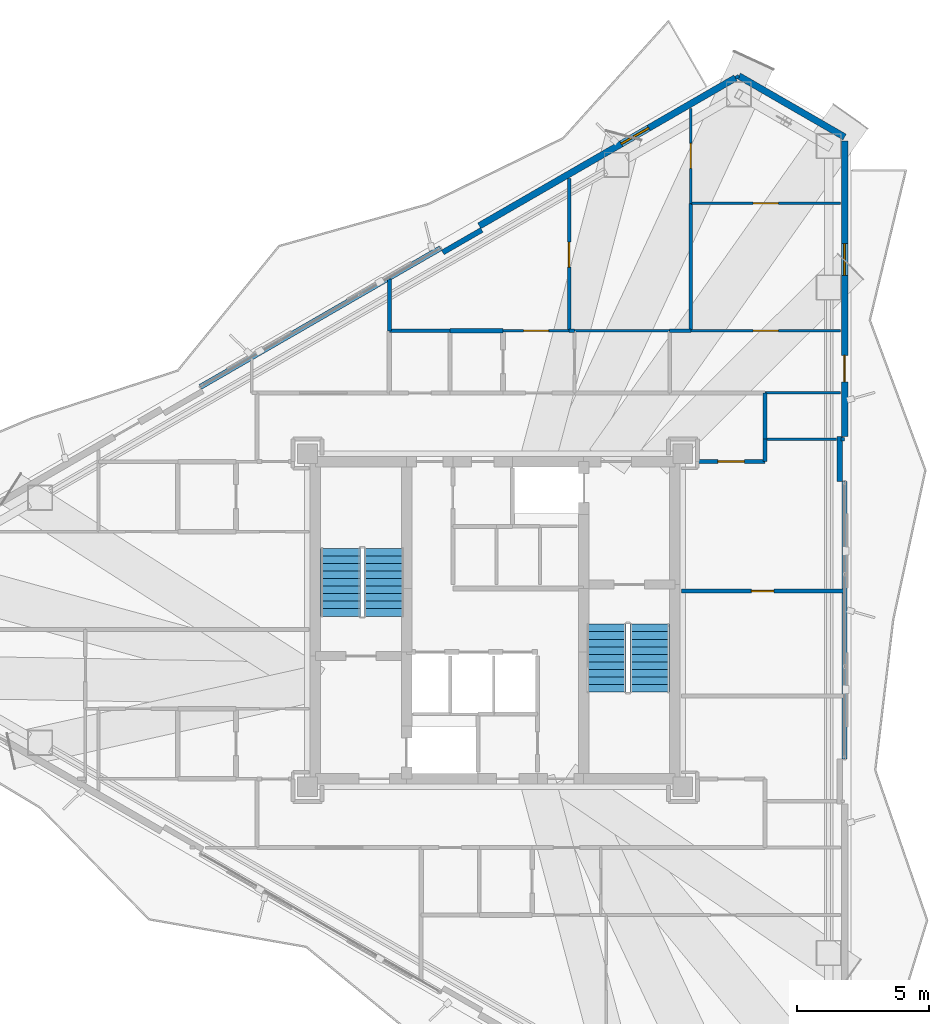
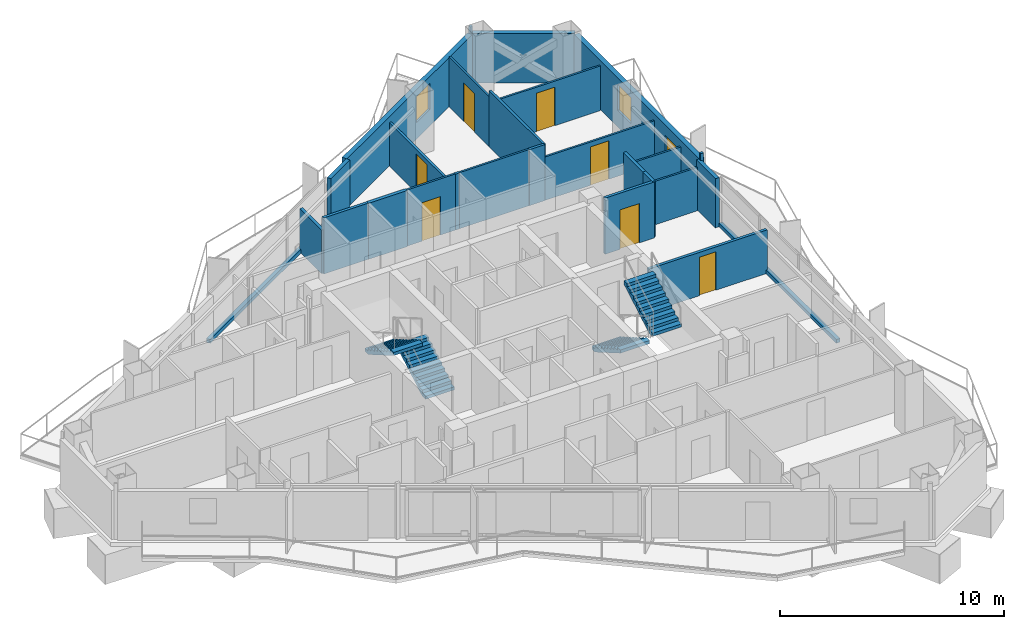
# One storey, part 18 of 21: 27 walls, 8 doors, 4 stair flights, 2 windows, 10 openings, 2 elements without a shape of their own.
"""IFC4 building model written with IfcOpenShell, lengths in metres."""

from ifc_helpers import new_model, si_unit, direction, frame, frame_2d, origin, place, context, subcontext, project, spatial, polyline, rectangle, outline, extrude, material, layer, layer_set, type_object, element, fill, aggregate, save


model = new_model("IFC4")

# Units and contexts
model_context = context("Model", 3, precision=1e-05, world=origin(), true_north=direction((0.0, 1.0)))
body_context = subcontext(model_context, "Body", "Model", "MODEL_VIEW")
ifc_project = project(units=[si_unit("LENGTHUNIT", "METRE"), si_unit("AREAUNIT", "SQUARE_METRE"), si_unit("VOLUMEUNIT", "CUBIC_METRE"), si_unit("PLANEANGLEUNIT", "RADIAN"), si_unit("MASSUNIT", "GRAM", prefix="KILO")], contexts=[model_context])

# Site, building, storey
site_placement = place(None, origin())
site = spatial("IfcSite", under=ifc_project, at=site_placement, CompositionType="ELEMENT")
building_placement = place(site_placement, origin())
building = spatial("IfcBuilding", under=site, at=building_placement, Name="Mersakhor Tower and Convention Hall", CompositionType="ELEMENT")
storey_placement = place(building_placement, frame((0.0, 0.0, 121.199951171875)))
storey = spatial("IfcBuildingStorey", under=building, at=storey_placement, Name="L33", CompositionType="ELEMENT", Elevation=121.199951171875)

# Wall
ifc_material_1 = material(Name="Precast concrete C40/50", Category="concrete")
ifc_layer_1 = layer(ifc_material_1, 0.25)
ifc_layer_set_1 = layer_set([ifc_layer_1], Name="Precast concrete C40/50")
wall_type_1 = type_object("IfcWallType", Name="WL-EXT-250", PredefinedType="SOLIDWALL", material=ifc_layer_set_1)
wall_1_placement = place(storey_placement, frame((38.220458984375, 47.337646484375, 0.0), z_axis=(0.0, 0.0, 1.0), x_axis=(0.866035021055, -0.499983342029, 0.0)))
element("IfcWall", 1, at=wall_1_placement, inside=storey, type_object=wall_type_1, Name="L33 Chamfer Braced Spandrel Wall C1", PredefinedType="SOLIDWALL", context=body_context, shape_type="SweptSolid", body=[
    extrude(rectangle(XDim=4.617431640625, YDim=0.25, at=frame_2d((2.30859375, 0.0))), origin(), (0.0, 0.0, 1.0), 2.679931640625),
])

# Wall, opening, window
wall_2_placement = place(storey_placement, frame((28.4033203125, 41.669677734375, 0.0), z_axis=(0.0, 0.0, 1.0), x_axis=(0.86602239209, 0.500005216371, 0.0)))
wall_2 = element("IfcWall", 2, at=wall_2_placement, inside=storey, type_object=wall_type_1, Name="L33 Exterior Facade Wall F1-B3", PredefinedType="SOLIDWALL", context=body_context, shape_type="SweptSolid", body=[
    extrude(rectangle(XDim=11.18603515625, YDim=0.25, at=frame_2d((5.593017578125, 0.0))), origin(), (0.0, 0.0, 1.0), 2.679931640625),
])
opening_1_placement = place(wall_2_placement, frame((6.198974609375, 0.0, 0.89990234375)))
opening_1 = element("IfcOpeningElement", 3, at=opening_1_placement, cuts=wall_2, Name="Opening W-01", PredefinedType="OPENING", context=body_context, shape_type="SweptSolid", body=[
    extrude(rectangle(XDim=1.199951171875, YDim=1.39990234375, at=frame_2d((0.60009765625, 0.699951171875))), frame((0.0, 0.135009765625, 0.0), z_axis=(0.0, -1.0, 0.0), x_axis=(1.0, 0.0, 0.0)), (0.0, 0.0, 1.0), 0.27001953125),
])
ifc_material_2 = material(Name="Dark solar low-E glazed aluminium window", Category="aluminium")
window_type = type_object("IfcWindowType", Name="WN-RES-120x150", PartitioningType="SINGLE_PANEL", PredefinedType="WINDOW", material=ifc_material_2)
window_1_placement = place(opening_1_placement, origin())
window_1 = element("IfcWindow", 4, at=window_1_placement, inside=storey, type_object=window_type, Name="L33 Bedroom Facade Window F1-B3-1", OverallHeight=1.39990234375, OverallWidth=1.199951171875, PartitioningType="SINGLE_PANEL", PredefinedType="WINDOW", context=body_context, shape_type="SweptSolid", body=[
    extrude(rectangle(XDim=1.199951171875, YDim=1.39990234375, at=frame_2d((0.60009765625, 0.699951171875))), frame((0.0, 0.030029296875, 0.0), z_axis=(0.0, -1.0, 0.0), x_axis=(1.0, 0.0, 0.0)), (0.0, 0.0, 1.0), 0.06005859375),
])
fill(opening_1, window_1)

# Wall, openings, door, window
wall_3_placement = place(storey_placement, frame((42.21923828125, 44.87890625, 0.0), z_axis=(0.0, 0.0, 1.0), x_axis=(0.0, -1.0, 0.0)))
wall_3 = element("IfcWall", 5, at=wall_3_placement, inside=storey, type_object=wall_type_1, Name="L33 Exterior Facade Wall F2-B1", PredefinedType="SOLIDWALL", context=body_context, shape_type="SweptSolid", body=[
    extrude(rectangle(XDim=11.185791015625, YDim=0.25, at=frame_2d((5.5927734375, 0.0))), origin(), (0.0, 0.0, 1.0), 2.679931640625),
])
opening_2_placement = place(wall_3_placement, frame((8.10888671875, 0.0, 0.0)))
opening_2 = element("IfcOpeningElement", 6, at=opening_2_placement, cuts=wall_3, Name="Opening BD-01", PredefinedType="OPENING", context=body_context, shape_type="SweptSolid", body=[
    extrude(rectangle(XDim=1.0, YDim=2.10009765625, at=frame_2d((0.5, 1.050048828125))), frame((0.0, 0.135009765625, 0.0), z_axis=(0.0, -1.0, 0.0), x_axis=(1.0, 0.0, 0.0)), (0.0, 0.0, 1.0), 0.27001953125),
])
opening_3_placement = place(wall_3_placement, frame((3.886962890625, 0.0, 0.89990234375)))
opening_3 = element("IfcOpeningElement", 7, at=opening_3_placement, cuts=wall_3, Name="Opening W-01", PredefinedType="OPENING", context=body_context, shape_type="SweptSolid", body=[
    extrude(rectangle(XDim=1.199951171875, YDim=1.39990234375, at=frame_2d((0.60009765625, 0.699951171875))), frame((0.0, 0.135009765625, 0.0), z_axis=(0.0, -1.0, 0.0), x_axis=(1.0, 0.0, 0.0)), (0.0, 0.0, 1.0), 0.27001953125),
])
ifc_material_3 = material(Name="Thermally broken dark aluminium and safety glass", Category="aluminium")
door_type_1 = type_object("IfcDoorType", Name="DR-BAL-100x210", OperationType="NOTDEFINED", PredefinedType="DOOR", material=ifc_material_3)
door_1_placement = place(opening_2_placement, origin())
door_1 = element("IfcDoor", 8, at=door_1_placement, inside=storey, type_object=door_type_1, Name="L33 Balcony Terrace Door F2-B1", OperationType="SINGLE_SWING_LEFT", OverallHeight=2.10009765625, OverallWidth=1.0, PredefinedType="DOOR", context=body_context, shape_type="SweptSolid", body=[
    extrude(rectangle(XDim=1.0, YDim=2.10009765625, at=frame_2d((0.5, 1.050048828125))), frame((0.0, 0.02490234375, 0.0), z_axis=(0.0, -1.0, 0.0), x_axis=(1.0, 0.0, 0.0)), (0.0, 0.0, 1.0), 0.050048828125),
])
fill(opening_2, door_1)
window_2_placement = place(opening_3_placement, origin())
window_2 = element("IfcWindow", 9, at=window_2_placement, inside=storey, type_object=window_type, Name="L33 Bedroom Facade Window F2-B1-1", OverallHeight=1.39990234375, OverallWidth=1.199951171875, PartitioningType="SINGLE_PANEL", PredefinedType="WINDOW", context=body_context, shape_type="SweptSolid", body=[
    extrude(rectangle(XDim=1.199951171875, YDim=1.39990234375, at=frame_2d((0.60009765625, 0.699951171875))), frame((0.0, 0.030029296875, 0.0), z_axis=(0.0, -1.0, 0.0), x_axis=(1.0, 0.0, 0.0)), (0.0, 0.0, 1.0), 0.06005859375),
])
fill(opening_3, window_2)

# Walls
ifc_material_4 = material(Name="Precast concrete C40/50", Category="concrete")
ifc_layer_2 = layer(ifc_material_4, 0.199951171875)
ifc_layer_set_2 = layer_set([ifc_layer_2], Name="Precast concrete C40/50")
wall_type_2 = type_object("IfcWallType", Name="WL-PAR-200", PredefinedType="PARAPET", material=ifc_layer_set_2)
wall_4_placement = place(storey_placement, frame((17.849853515625, 35.57666015625, 0.0), z_axis=(0.0, 0.0, 1.0), x_axis=(0.866026619769, 0.499997893847, 0.0)))
element("IfcWall", 10, at=wall_4_placement, inside=storey, type_object=wall_type_2, Name="L33 Curtain Wall Upstand Sill F1-B2", PredefinedType="PARAPET", context=body_context, shape_type="SweptSolid", body=[
    extrude(rectangle(XDim=10.48583984375, YDim=0.199951171875, at=frame_2d((5.242919921875, 0.0))), origin(), (0.0, 0.0, 1.0), 0.199951171875),
])
wall_5_placement = place(storey_placement, frame((27.02099609375, 40.663818359375, 0.0), z_axis=(0.0, 0.0, 1.0), x_axis=(0.86605165483, 0.499954529098, 0.0)))
element("IfcWall", 11, at=wall_5_placement, inside=storey, type_object=wall_type_2, Name="L33 Column Pier Cladding Wall F1-C2", PredefinedType="PARAPET", context=body_context, shape_type="SweptSolid", body=[
    extrude(rectangle(XDim=1.699951171875, YDim=0.199951171875, at=frame_2d((0.85009765625, 0.0))), origin(), (0.0, 0.0, 1.0), 2.679931640625),
])
wall_6_placement = place(storey_placement, frame((42.21923828125, 31.992919921875, 0.0), z_axis=(0.0, 0.0, 1.0), x_axis=(0.0, -1.0, 0.0)))
element("IfcWall", 12, at=wall_6_placement, inside=storey, type_object=wall_type_2, Name="L33 Curtain Wall Upstand Sill F2-B2", PredefinedType="PARAPET", context=body_context, shape_type="SweptSolid", body=[
    extrude(rectangle(XDim=10.48583984375, YDim=0.199951171875, at=frame_2d((5.242919921875, 0.0))), origin(), (0.0, 0.0, 1.0), 0.199951171875),
])
wall_7_placement = place(storey_placement, frame((42.039306640625, 33.693115234375, 0.0), z_axis=(0.0, 0.0, 1.0), x_axis=(0.0, -1.0, 0.0)))
element("IfcWall", 13, at=wall_7_placement, inside=storey, type_object=wall_type_2, Name="L33 Column Pier Cladding Wall F2-C1", PredefinedType="PARAPET", context=body_context, shape_type="SweptSolid", body=[
    extrude(rectangle(XDim=1.7001953125, YDim=0.199951171875, at=frame_2d((0.85009765625, 0.0))), origin(), (0.0, 0.0, 1.0), 2.679931640625),
])
ifc_material_5 = material(Name="Moisture-resistant acoustic drywall studwork", Category="other")
ifc_layer_3 = layer(ifc_material_5, 0.175048828125)
ifc_layer_set_3 = layer_set([ifc_layer_3], Name="Moisture-resistant acoustic drywall studwork")
wall_type_3 = type_object("IfcWallType", Name="WL-PLM-175", PredefinedType="PLUMBINGWALL", material=ifc_layer_set_3)
wall_8_placement = place(storey_placement, frame((27.300048828125, 37.699951171875, 0.0), z_axis=(0.0, 0.0, 1.0), x_axis=(1.0, 0.0, 0.0)))
element("IfcWall", 14, at=wall_8_placement, inside=storey, type_object=wall_type_3, Name="L33 Interior Partition Wall P-075", PredefinedType="PLUMBINGWALL", context=body_context, shape_type="SweptSolid", body=[
    extrude(rectangle(XDim=2.0, YDim=0.175048828125, at=frame_2d((1.0, 0.0))), origin(), (0.0, 0.0, 1.0), 3.06005859375),
])

# Wall, opening, door
ifc_material_6 = material(Name="Lightweight gypsum partition", Category="other")
ifc_layer_4 = layer(ifc_material_6, 0.10009765625)
ifc_layer_set_4 = layer_set([ifc_layer_4], Name="Lightweight gypsum partition")
wall_type_4 = type_object("IfcWallType", Name="WL-PRT-100", PredefinedType="PARTITIONING", material=ifc_layer_set_4)
wall_9_placement = place(storey_placement, frame((29.300048828125, 37.699951171875, 0.0), z_axis=(0.0, 0.0, 1.0), x_axis=(1.0, 0.0, 0.0)))
wall_9 = element("IfcWall", 15, at=wall_9_placement, inside=storey, type_object=wall_type_4, Name="L33 Interior Partition Wall P-052", PredefinedType="PARTITIONING", context=body_context, shape_type="SweptSolid", body=[
    extrude(rectangle(XDim=2.5, YDim=0.10009765625, at=frame_2d((1.25, 0.0))), origin(), (0.0, 0.0, 1.0), 3.06005859375),
])
opening_4_placement = place(wall_9_placement, frame((0.77490234375, 0.0, 0.0)))
opening_4 = element("IfcOpeningElement", 16, at=opening_4_placement, cuts=wall_9, Name="Opening RD-01", PredefinedType="OPENING", context=body_context, shape_type="SweptSolid", body=[
    extrude(rectangle(XDim=0.949951171875, YDim=2.10009765625, at=frame_2d((0.47509765625, 1.050048828125))), frame((0.0, 0.06005859375, 0.0), z_axis=(0.0, -1.0, 0.0), x_axis=(1.0, 0.0, 0.0)), (0.0, 0.0, 1.0), 0.1201171875),
])
ifc_material_7 = material(Name="Solid-core hardwood leaf in painted steel frame", Category="steel")
door_type_2 = type_object("IfcDoorType", Name="DR-INT-RM-095x210", OperationType="NOTDEFINED", PredefinedType="DOOR", material=ifc_material_7)
door_2_placement = place(opening_4_placement, origin())
door_2 = element("IfcDoor", 17, at=door_2_placement, inside=storey, type_object=door_type_2, Name="L33 L33 Flat N1 Apartment Hall to L33 Flat N1 Living and Dining Room Door", OperationType="SINGLE_SWING_RIGHT", OverallHeight=2.10009765625, OverallWidth=0.949951171875, PredefinedType="DOOR", context=body_context, shape_type="SweptSolid", body=[
    extrude(rectangle(XDim=0.949951171875, YDim=2.10009765625, at=frame_2d((0.47509765625, 1.050048828125))), frame((0.0, 0.02490234375, 0.0), z_axis=(0.0, -1.0, 0.0), x_axis=(1.0, 0.0, 0.0)), (0.0, 0.0, 1.0), 0.050048828125),
])
fill(opening_4, door_2)

# Walls
wall_10_placement = place(storey_placement, frame((32.0, 37.699951171875, 0.0), z_axis=(0.0, 0.0, 1.0), x_axis=(1.0, 0.0, 0.0)))
element("IfcWall", 18, at=wall_10_placement, inside=storey, type_object=wall_type_4, Name="L33 Interior Partition Wall P-076", PredefinedType="PARTITIONING", context=body_context, shape_type="SweptSolid", body=[
    extrude(rectangle(XDim=3.60009765625, YDim=0.10009765625, at=frame_2d((1.800048828125, 0.0))), origin(), (0.0, 0.0, 1.0), 3.06005859375),
])
wall_11_placement = place(storey_placement, frame((39.199951171875, 33.60009765625, 0.0), z_axis=(0.0, 0.0, 1.0), x_axis=(1.0, 0.0, 0.0)))
element("IfcWall", 19, at=wall_11_placement, inside=storey, type_object=wall_type_4, Name="L33 Interior Partition Wall P-102", PredefinedType="PARTITIONING", context=body_context, shape_type="SweptSolid", body=[
    extrude(rectangle(XDim=2.71533203125, YDim=0.10009765625, at=frame_2d((1.357666015625, 0.0))), origin(), (0.0, 0.0, 1.0), 2.364990234375),
])
wall_12_placement = place(storey_placement, frame((42.0703125, 35.35009765625, 0.0), z_axis=(0.0, 0.0, 1.0), x_axis=(-1.0, 0.0, 0.0)))
element("IfcWall", 20, at=wall_12_placement, inside=storey, type_object=wall_type_4, Name="L33 Interior Partition Wall P-110", PredefinedType="PARTITIONING", context=body_context, shape_type="SweptSolid", body=[
    extrude(rectangle(XDim=2.870361328125, YDim=0.10009765625, at=frame_2d((1.43505859375, 0.0))), origin(), (0.0, 0.0, 1.0), 2.364990234375),
])

# Wall, opening, door
wall_13_placement = place(storey_placement, frame((36.39990234375, 37.699951171875, 0.0), z_axis=(0.0, 0.0, 1.0), x_axis=(1.0, 0.0, 0.0)))
wall_13 = element("IfcWall", 21, at=wall_13_placement, inside=storey, type_object=wall_type_4, Name="L33 Interior Partition Wall P-112", PredefinedType="PARTITIONING", context=body_context, shape_type="SweptSolid", body=[
    extrude(rectangle(XDim=5.67041015625, YDim=0.10009765625, at=frame_2d((2.835205078125, 0.0))), origin(), (0.0, 0.0, 1.0), 2.364990234375),
])
opening_5_placement = place(wall_13_placement, frame((2.360107421875, 0.0, 0.0)))
opening_5 = element("IfcOpeningElement", 22, at=opening_5_placement, cuts=wall_13, Name="Opening RD-01", PredefinedType="OPENING", context=body_context, shape_type="SweptSolid", body=[
    extrude(rectangle(XDim=0.949951171875, YDim=2.10009765625, at=frame_2d((0.47509765625, 1.050048828125))), frame((0.0, 0.06005859375, 0.0), z_axis=(0.0, -1.0, 0.0), x_axis=(1.0, 0.0, 0.0)), (0.0, 0.0, 1.0), 0.1201171875),
])
door_3_placement = place(opening_5_placement, origin())
door_3 = element("IfcDoor", 23, at=door_3_placement, inside=storey, type_object=door_type_2, Name="L33 L33 Flat N1 Study Room to L33 Flat N1 Bedroom 2 Door", OperationType="SINGLE_SWING_LEFT", OverallHeight=2.10009765625, OverallWidth=0.949951171875, PredefinedType="DOOR", context=body_context, shape_type="SweptSolid", body=[
    extrude(rectangle(XDim=0.949951171875, YDim=2.10009765625, at=frame_2d((0.47509765625, 1.050048828125))), frame((0.0, 0.02490234375, 0.0), z_axis=(0.0, -1.0, 0.0), x_axis=(1.0, 0.0, 0.0)), (0.0, 0.0, 1.0), 0.050048828125),
])
fill(opening_5, door_3)

wall_14_placement = place(storey_placement, frame((36.39990234375, 46.114501953125, 0.0), z_axis=(0.0, 0.0, 1.0), x_axis=(0.0, -1.0, 0.0)))
wall_14 = element("IfcWall", 24, at=wall_14_placement, inside=storey, type_object=wall_type_4, Name="L33 Interior Partition Wall P-114", PredefinedType="PARTITIONING", context=body_context, shape_type="SweptSolid", body=[
    extrude(rectangle(XDim=3.594482421875, YDim=0.10009765625, at=frame_2d((1.79736328125, 0.0))), origin(), (0.0, 0.0, 1.0), 2.724609375),
])
opening_6_placement = place(wall_14_placement, frame((1.322265625, 0.0, 0.0)))
opening_6 = element("IfcOpeningElement", 25, at=opening_6_placement, cuts=wall_14, Name="Opening RD-01", PredefinedType="OPENING", context=body_context, shape_type="SweptSolid", body=[
    extrude(rectangle(XDim=0.949951171875, YDim=2.10009765625, at=frame_2d((0.47509765625, 1.050048828125))), frame((0.0, 0.06005859375, 0.0), z_axis=(0.0, -1.0, 0.0), x_axis=(1.0, 0.0, 0.0)), (0.0, 0.0, 1.0), 0.1201171875),
])
door_4_placement = place(opening_6_placement, origin())
door_4 = element("IfcDoor", 26, at=door_4_placement, inside=storey, type_object=door_type_2, Name="L33 L33 Flat N1 Bedroom 1 to L33 Flat N1 Study Room Door", OperationType="SINGLE_SWING_LEFT", OverallHeight=2.10009765625, OverallWidth=0.949951171875, PredefinedType="DOOR", context=body_context, shape_type="SweptSolid", body=[
    extrude(rectangle(XDim=0.949951171875, YDim=2.10009765625, at=frame_2d((0.47509765625, 1.050048828125))), frame((0.0, 0.02490234375, 0.0), z_axis=(0.0, -1.0, 0.0), x_axis=(1.0, 0.0, 0.0)), (0.0, 0.0, 1.0), 0.050048828125),
])
fill(opening_6, door_4)

wall_15_placement = place(storey_placement, frame((36.39990234375, 42.52001953125, 0.0), z_axis=(0.0, 0.0, 1.0), x_axis=(1.0, 0.0, 0.0)))
wall_15 = element("IfcWall", 27, at=wall_15_placement, inside=storey, type_object=wall_type_4, Name="L33 Interior Partition Wall P-116", PredefinedType="PARTITIONING", context=body_context, shape_type="SweptSolid", body=[
    extrude(rectangle(XDim=5.67041015625, YDim=0.10009765625, at=frame_2d((2.835205078125, 0.0))), origin(), (0.0, 0.0, 1.0), 2.432861328125),
])
opening_7_placement = place(wall_15_placement, frame((2.360107421875, 0.0, 0.0)))
opening_7 = element("IfcOpeningElement", 28, at=opening_7_placement, cuts=wall_15, Name="Opening RD-01", PredefinedType="OPENING", context=body_context, shape_type="SweptSolid", body=[
    extrude(rectangle(XDim=0.949951171875, YDim=2.10009765625, at=frame_2d((0.47509765625, 1.050048828125))), frame((0.0, 0.06005859375, 0.0), z_axis=(0.0, -1.0, 0.0), x_axis=(1.0, 0.0, 0.0)), (0.0, 0.0, 1.0), 0.1201171875),
])
door_5_placement = place(opening_7_placement, origin())
door_5 = element("IfcDoor", 29, at=door_5_placement, inside=storey, type_object=door_type_2, Name="L33 L33 Flat N1 Bedroom 2 to L33 Flat N1 Study Room Door", OperationType="SINGLE_SWING_RIGHT", OverallHeight=2.10009765625, OverallWidth=0.949951171875, PredefinedType="DOOR", context=body_context, shape_type="SweptSolid", body=[
    extrude(rectangle(XDim=0.949951171875, YDim=2.10009765625, at=frame_2d((0.47509765625, 1.050048828125))), frame((0.0, 0.02490234375, 0.0), z_axis=(0.0, -1.0, 0.0), x_axis=(1.0, 0.0, 0.0)), (0.0, 0.0, 1.0), 0.050048828125),
])
fill(opening_7, door_5)

# Walls
ifc_material_8 = material(Name="Gypsum board acoustic partition", Category="other")
ifc_layer_5 = layer(ifc_material_8, 0.125)
ifc_layer_set_5 = layer_set([ifc_layer_5], Name="Gypsum board acoustic partition")
wall_type_5 = type_object("IfcWallType", Name="WL-PRT-125", PredefinedType="PARTITIONING", material=ifc_layer_set_5)
wall_16_placement = place(storey_placement, frame((31.800048828125, 37.699951171875, 0.0), z_axis=(0.0, 0.0, 1.0), x_axis=(1.0, 0.0, 0.0)))
element("IfcWall", 30, at=wall_16_placement, inside=storey, type_object=wall_type_5, Name="L33 Interior Partition Wall P-053", PredefinedType="PARTITIONING", context=body_context, shape_type="SweptSolid", body=[
    extrude(rectangle(XDim=0.199951171875, YDim=0.125, at=frame_2d((0.10009765625, 0.0))), origin(), (0.0, 0.0, 1.0), 3.06005859375),
])
wall_17_placement = place(storey_placement, frame((42.07421875, 33.60009765625, 0.0), z_axis=(0.0, 0.0, 1.0), x_axis=(1.0, 0.0, 0.0)))
element("IfcWall", 31, at=wall_17_placement, inside=storey, type_object=wall_type_5, Name="L33 Interior Partition Wall P-103", PredefinedType="PARTITIONING", context=body_context, shape_type="SweptSolid", body=[
    extrude(rectangle(XDim=0.144775390625, YDim=0.125, at=frame_2d((0.072265625, 0.0))), origin(), (0.0, 0.0, 1.0), 3.06005859375),
])
wall_18_placement = place(storey_placement, frame((35.60009765625, 37.699951171875, 0.0), z_axis=(0.0, 0.0, 1.0), x_axis=(1.0, 0.0, 0.0)))
element("IfcWall", 32, at=wall_18_placement, inside=storey, type_object=wall_type_5, Name="L33 Interior Partition Wall P-111", PredefinedType="PARTITIONING", context=body_context, shape_type="SweptSolid", body=[
    extrude(rectangle(XDim=0.7998046875, YDim=0.125, at=frame_2d((0.39990234375, 0.0))), origin(), (0.0, 0.0, 1.0), 3.06005859375),
])

# Wall, opening, door
wall_19_placement = place(storey_placement, frame((31.800048828125, 43.458740234375, 0.0), z_axis=(0.0, 0.0, 1.0), x_axis=(0.0, -1.0, 0.0)))
wall_19 = element("IfcWall", 33, at=wall_19_placement, inside=storey, type_object=wall_type_5, Name="L33 Interior Partition Wall P-113", PredefinedType="PARTITIONING", context=body_context, shape_type="SweptSolid", body=[
    extrude(rectangle(XDim=5.7587890625, YDim=0.125, at=frame_2d((2.87939453125, 0.0))), origin(), (0.0, 0.0, 1.0), 2.364990234375),
])
opening_8_placement = place(wall_19_placement, frame((2.404296875, 0.0, 0.0)))
opening_8 = element("IfcOpeningElement", 34, at=opening_8_placement, cuts=wall_19, Name="Opening RD-01", PredefinedType="OPENING", context=body_context, shape_type="SweptSolid", body=[
    extrude(rectangle(XDim=0.949951171875, YDim=2.10009765625, at=frame_2d((0.47509765625, 1.050048828125))), frame((0.0, 0.072509765625, 0.0), z_axis=(0.0, -1.0, 0.0), x_axis=(1.0, 0.0, 0.0)), (0.0, 0.0, 1.0), 0.14501953125),
])
door_6_placement = place(opening_8_placement, origin())
door_6 = element("IfcDoor", 35, at=door_6_placement, inside=storey, type_object=door_type_2, Name="L33 L33 Flat N1 Living and Dining Room to L33 Flat N1 Bedroom 1 Door", OperationType="SINGLE_SWING_RIGHT", OverallHeight=2.10009765625, OverallWidth=0.949951171875, PredefinedType="DOOR", context=body_context, shape_type="SweptSolid", body=[
    extrude(rectangle(XDim=0.949951171875, YDim=2.10009765625, at=frame_2d((0.47509765625, 1.050048828125))), frame((0.0, 0.02490234375, 0.0), z_axis=(0.0, -1.0, 0.0), x_axis=(1.0, 0.0, 0.0)), (0.0, 0.0, 1.0), 0.050048828125),
])
fill(opening_8, door_6)

# Walls
wall_20_placement = place(storey_placement, frame((36.39990234375, 42.52001953125, 0.0), z_axis=(0.0, 0.0, 1.0), x_axis=(0.0, -1.0, 0.0)))
element("IfcWall", 36, at=wall_20_placement, inside=storey, type_object=wall_type_5, Name="L33 Interior Partition Wall P-115", PredefinedType="PARTITIONING", context=body_context, shape_type="SweptSolid", body=[
    extrude(rectangle(XDim=4.820068359375, YDim=0.125, at=frame_2d((2.41015625, 0.0))), origin(), (0.0, 0.0, 1.0), 3.06005859375),
])
wall_21_placement = place(storey_placement, frame((38.090576171875, 47.2626953125, 0.0), z_axis=(0.0, 0.0, 1.0), x_axis=(0.865833797362, 0.500331725305, 0.0)))
element("IfcWall", 37, at=wall_21_placement, inside=storey, type_object=wall_type_5, Name="L33 Interior Partition Wall P-117", PredefinedType="PARTITIONING", context=body_context, shape_type="SweptSolid", body=[
    extrude(rectangle(XDim=0.150390625, YDim=0.125, at=frame_2d((0.0751953125, 0.0))), origin(), (0.0, 0.0, 1.0), 3.06005859375),
])
ifc_material_9 = material(Name="Fire-rated gypsum board stud partition", Category="other")
ifc_layer_6 = layer(ifc_material_9, 0.14990234375)
ifc_layer_set_6 = layer_set([ifc_layer_6], Name="Fire-rated gypsum board stud partition")
wall_type_6 = type_object("IfcWallType", Name="WL-PRT-150", PredefinedType="PARTITIONING", material=ifc_layer_set_6)
wall_22_placement = place(storey_placement, frame((39.199951171875, 35.35009765625, 0.0), z_axis=(0.0, 0.0, 1.0), x_axis=(0.0, -1.0, 0.0)))
element("IfcWall", 38, at=wall_22_placement, inside=storey, type_object=wall_type_6, Name="L33 Interior Partition Wall P-031", PredefinedType="PARTITIONING", context=body_context, shape_type="SweptSolid", body=[
    extrude(rectangle(XDim=1.75, YDim=0.14990234375, at=frame_2d((0.875, 0.0))), origin(), (0.0, 0.0, 1.0), 3.06005859375),
])
wall_23_placement = place(storey_placement, frame((39.199951171875, 33.60009765625, 0.0), z_axis=(0.0, 0.0, 1.0), x_axis=(0.0, -1.0, 0.0)))
element("IfcWall", 39, at=wall_23_placement, inside=storey, type_object=wall_type_6, Name="L33 Interior Partition Wall P-032", PredefinedType="PARTITIONING", context=body_context, shape_type="SweptSolid", body=[
    extrude(rectangle(XDim=0.85009765625, YDim=0.14990234375, at=frame_2d((0.425048828125, 0.0))), origin(), (0.0, 0.0, 1.0), 3.06005859375),
])

# Wall, opening, door
wall_24_placement = place(storey_placement, frame((39.199951171875, 32.75, 0.0), z_axis=(0.0, 0.0, 1.0), x_axis=(-1.0, 0.0, 0.0)))
wall_24 = element("IfcWall", 40, at=wall_24_placement, inside=storey, type_object=wall_type_6, Name="L33 Interior Partition Wall P-033", PredefinedType="PARTITIONING", context=body_context, shape_type="SweptSolid", body=[
    extrude(rectangle(XDim=2.550048828125, YDim=0.14990234375, at=frame_2d((1.27490234375, 0.0))), origin(), (0.0, 0.0, 1.0), 3.06005859375),
])
opening_9_placement = place(wall_24_placement, frame((0.77490234375, 0.0, 0.0)))
opening_9 = element("IfcOpeningElement", 41, at=opening_9_placement, cuts=wall_24, Name="Opening FD-01", PredefinedType="OPENING", context=body_context, shape_type="SweptSolid", body=[
    extrude(rectangle(XDim=1.0, YDim=2.14990234375, at=frame_2d((0.5, 1.074951171875))), frame((0.0, 0.0849609375, 0.0), z_axis=(0.0, -1.0, 0.0), x_axis=(1.0, 0.0, 0.0)), (0.0, 0.0, 1.0), 0.169921875),
])
ifc_material_10 = material(Name="Fire-rated hardwood leaf and painted steel frame", Category="steel")
door_type_3 = type_object("IfcDoorType", Name="DR-INT-FLT-100x215", OperationType="NOTDEFINED", PredefinedType="DOOR", material=ifc_material_10)
door_7_placement = place(opening_9_placement, origin())
door_7 = element("IfcDoor", 42, at=door_7_placement, inside=storey, type_object=door_type_3, Name="L33 Residential North Gallery Corridor to L33 East Wing Quiet Focus Room Door", OperationType="SINGLE_SWING_LEFT", OverallHeight=2.14990234375, OverallWidth=1.0, PredefinedType="DOOR", context=body_context, shape_type="SweptSolid", body=[
    extrude(rectangle(XDim=1.0, YDim=2.14990234375, at=frame_2d((0.5, 1.074951171875))), frame((0.0, 0.02490234375, 0.0), z_axis=(0.0, -1.0, 0.0), x_axis=(1.0, 0.0, 0.0)), (0.0, 0.0, 1.0), 0.050048828125),
])
fill(opening_9, door_7)

# Walls
wall_25_placement = place(storey_placement, frame((25.0, 37.699951171875, 0.0), z_axis=(0.0, 0.0, 1.0), x_axis=(1.0, 0.0, 0.0)))
element("IfcWall", 43, at=wall_25_placement, inside=storey, type_object=wall_type_6, Name="L33 Interior Partition Wall P-069", PredefinedType="PARTITIONING", context=body_context, shape_type="SweptSolid", body=[
    extrude(rectangle(XDim=2.300048828125, YDim=0.14990234375, at=frame_2d((1.14990234375, 0.0))), origin(), (0.0, 0.0, 1.0), 3.06005859375),
])
wall_26_placement = place(storey_placement, frame((25.0, 39.660888671875, 0.0), z_axis=(0.0, 0.0, 1.0), x_axis=(0.0, -1.0, 0.0)))
element("IfcWall", 44, at=wall_26_placement, inside=storey, type_object=wall_type_6, Name="L33 Interior Partition Wall P-094", PredefinedType="PARTITIONING", context=body_context, shape_type="SweptSolid", body=[
    extrude(rectangle(XDim=1.9609375, YDim=0.14990234375, at=frame_2d((0.98046875, 0.0))), origin(), (0.0, 0.0, 1.0), 2.364990234375),
])

# Wall, opening, door
wall_27_placement = place(storey_placement, frame((42.18115234375, 27.85009765625, 0.0), z_axis=(0.0, 0.0, 1.0), x_axis=(-1.0, 0.0, 0.0)))
wall_27 = element("IfcWall", 45, at=wall_27_placement, inside=storey, type_object=wall_type_6, Name="L33 Interior Partition Wall P-104", PredefinedType="PARTITIONING", context=body_context, shape_type="SweptSolid", body=[
    extrude(rectangle(XDim=6.131103515625, YDim=0.14990234375, at=frame_2d((3.0654296875, 0.0))), origin(), (0.0, 0.0, 1.0), 2.364990234375),
])
opening_10_placement = place(wall_27_placement, frame((2.640625, 0.0, 0.0)))
opening_10 = element("IfcOpeningElement", 46, at=opening_10_placement, cuts=wall_27, Name="Opening SVD-01", PredefinedType="OPENING", context=body_context, shape_type="SweptSolid", body=[
    extrude(rectangle(XDim=0.85009765625, YDim=2.10009765625, at=frame_2d((0.425048828125, 1.050048828125))), frame((0.0, 0.0849609375, 0.0), z_axis=(0.0, -1.0, 0.0), x_axis=(1.0, 0.0, 0.0)), (0.0, 0.0, 1.0), 0.169921875),
])
ifc_material_11 = material(Name="Fire-rated hardwood leaf and painted steel frame", Category="steel")
door_type_4 = type_object("IfcDoorType", Name="DR-INT-SVC-085x210", OperationType="NOTDEFINED", PredefinedType="DOOR", material=ifc_material_11)
door_8_placement = place(opening_10_placement, origin())
door_8 = element("IfcDoor", 47, at=door_8_placement, inside=storey, type_object=door_type_4, Name="L33 L33 East Wing Quiet Focus Room to L33 East Wing Linen Store Room Door", OperationType="SINGLE_SWING_RIGHT", OverallHeight=2.10009765625, OverallWidth=0.85009765625, PredefinedType="DOOR", context=body_context, shape_type="SweptSolid", body=[
    extrude(rectangle(XDim=0.85009765625, YDim=2.10009765625, at=frame_2d((0.425048828125, 1.050048828125))), frame((0.0, 0.02490234375, 0.0), z_axis=(0.0, -1.0, 0.0), x_axis=(1.0, 0.0, 0.0)), (0.0, 0.0, 1.0), 0.050048828125),
])
fill(opening_10, door_8)

# Stair, stair flights
ifc_material_12 = material(Name="Concrete C45/55", Category="concrete")
stair_type = type_object("IfcStairType", Name="ST-TWR-20R", PredefinedType="HALF_TURN_STAIR", material=ifc_material_12)
stair_1_placement = place(storey_placement, origin())
stair_1 = element("IfcStair", 48, at=stair_1_placement, inside=storey, type_object=stair_type, Name="L33 Tower Protected Exit Stair ST-1", PredefinedType="HALF_TURN_STAIR")
ifc_material_13 = material(Name="Concrete C45/55", Category="concrete")
stair_flight_type = type_object("IfcStairFlightType", Name="SFL-TWR-20R", PredefinedType="STRAIGHT", material=ifc_material_13)
stair_flight_1_placement = place(storey_placement, frame((24.800048828125, 26.89990234375, 0.0), z_axis=(0.0, 0.0, 1.0), x_axis=(0.0, 1.0, 0.0)))
stair_flight_1 = element("IfcStairFlight", 49, at=stair_flight_1_placement, type_object=stair_flight_type, Name="ST-1 flight 1", NumberOfRisers=10, NumberOfTreads=9, PredefinedType="STRAIGHT", RiserHeight=0.165, TreadLength=0.285, context=body_context, shape_type="SweptSolid", body=[
    extrude(outline(polyline([(0.0, 0.0), (0.0, 0.1650390625), (0.284912109375, 0.1650390625), (0.284912109375, 0.330078125), (0.570068359375, 0.330078125), (0.570068359375, 0.4951171875), (0.85498046875, 0.4951171875), (0.85498046875, 0.659912109375), (1.139892578125, 0.659912109375), (1.139892578125, 0.824951171875), (1.425048828125, 0.824951171875), (1.425048828125, 0.989990234375), (1.7099609375, 0.989990234375), (1.7099609375, 1.155029296875), (1.9951171875, 1.155029296875), (1.9951171875, 1.320068359375), (2.280029296875, 1.320068359375), (2.280029296875, 1.485107421875), (2.56494140625, 1.485107421875), (2.56494140625, 1.64990234375), (2.56494140625, 1.311767578125), (0.299072265625, 0.0), (0.0, 0.0)])), frame((0.0, 0.75, 0.0), z_axis=(0.0, -1.0, 0.0), x_axis=(1.0, 0.0, 0.0)), (0.0, 0.0, 1.0), 1.5),
])
stair_flight_2_placement = place(storey_placement, frame((23.14990234375, 29.465087890625, 1.650146484375), z_axis=(0.0, 0.0, 1.0), x_axis=(0.0, -1.0, 0.0)))
stair_flight_2 = element("IfcStairFlight", 50, at=stair_flight_2_placement, type_object=stair_flight_type, Name="ST-1 flight 2", NumberOfRisers=10, NumberOfTreads=9, PredefinedType="STRAIGHT", RiserHeight=0.165, TreadLength=0.285, context=body_context, shape_type="SweptSolid", body=[
    extrude(outline(polyline([(0.0, 0.0), (0.0, 0.1650390625), (0.284912109375, 0.1650390625), (0.284912109375, 0.330078125), (0.570068359375, 0.330078125), (0.570068359375, 0.4951171875), (0.85498046875, 0.4951171875), (0.85498046875, 0.659912109375), (1.139892578125, 0.659912109375), (1.139892578125, 0.824951171875), (1.425048828125, 0.824951171875), (1.425048828125, 0.989990234375), (1.7099609375, 0.989990234375), (1.7099609375, 1.155029296875), (1.9951171875, 1.155029296875), (1.9951171875, 1.320068359375), (2.280029296875, 1.320068359375), (2.280029296875, 1.485107421875), (2.56494140625, 1.485107421875), (2.56494140625, 1.64990234375), (2.56494140625, 1.311767578125), (0.299072265625, 0.0), (0.0, 0.0)])), frame((0.0, 0.75, 0.0), z_axis=(0.0, -1.0, 0.0), x_axis=(1.0, 0.0, 0.0)), (0.0, 0.0, 1.0), 1.5),
])
aggregate(stair_1, [stair_flight_1, stair_flight_2])

stair_2_placement = place(storey_placement, origin())
stair_2 = element("IfcStair", 51, at=stair_2_placement, inside=storey, type_object=stair_type, Name="L33 Tower Protected Exit Stair ST-2", PredefinedType="HALF_TURN_STAIR")
stair_flight_3_placement = place(storey_placement, frame((33.199951171875, 26.60009765625, 0.0), z_axis=(0.0, 0.0, 1.0), x_axis=(0.0, -1.0, 0.0)))
stair_flight_3 = element("IfcStairFlight", 52, at=stair_flight_3_placement, type_object=stair_flight_type, Name="ST-2 flight 1", NumberOfRisers=10, NumberOfTreads=9, PredefinedType="STRAIGHT", RiserHeight=0.165, TreadLength=0.285, context=body_context, shape_type="SweptSolid", body=[
    extrude(outline(polyline([(0.0, 0.0), (0.0, 0.1650390625), (0.284912109375, 0.1650390625), (0.284912109375, 0.330078125), (0.570068359375, 0.330078125), (0.570068359375, 0.4951171875), (0.85498046875, 0.4951171875), (0.85498046875, 0.659912109375), (1.139892578125, 0.659912109375), (1.139892578125, 0.824951171875), (1.425048828125, 0.824951171875), (1.425048828125, 0.989990234375), (1.7099609375, 0.989990234375), (1.7099609375, 1.155029296875), (1.9951171875, 1.155029296875), (1.9951171875, 1.320068359375), (2.280029296875, 1.320068359375), (2.280029296875, 1.485107421875), (2.56494140625, 1.485107421875), (2.56494140625, 1.64990234375), (2.56494140625, 1.311767578125), (0.299072265625, 0.0), (0.0, 0.0)])), frame((0.0, 0.75, 0.0), z_axis=(0.0, -1.0, 0.0), x_axis=(1.0, 0.0, 0.0)), (0.0, 0.0, 1.0), 1.5),
])
stair_flight_4_placement = place(storey_placement, frame((34.85009765625, 24.034912109375, 1.650146484375), z_axis=(0.0, 0.0, 1.0), x_axis=(0.0, 1.0, 0.0)))
stair_flight_4 = element("IfcStairFlight", 53, at=stair_flight_4_placement, type_object=stair_flight_type, Name="ST-2 flight 2", NumberOfRisers=10, NumberOfTreads=9, PredefinedType="STRAIGHT", RiserHeight=0.165, TreadLength=0.285, context=body_context, shape_type="SweptSolid", body=[
    extrude(outline(polyline([(0.0, 0.0), (0.0, 0.1650390625), (0.284912109375, 0.1650390625), (0.284912109375, 0.330078125), (0.570068359375, 0.330078125), (0.570068359375, 0.4951171875), (0.85498046875, 0.4951171875), (0.85498046875, 0.659912109375), (1.139892578125, 0.659912109375), (1.139892578125, 0.824951171875), (1.425048828125, 0.824951171875), (1.425048828125, 0.989990234375), (1.7099609375, 0.989990234375), (1.7099609375, 1.155029296875), (1.9951171875, 1.155029296875), (1.9951171875, 1.320068359375), (2.280029296875, 1.320068359375), (2.280029296875, 1.485107421875), (2.56494140625, 1.485107421875), (2.56494140625, 1.64990234375), (2.56494140625, 1.311767578125), (0.299072265625, 0.0), (0.0, 0.0)])), frame((0.0, 0.75, 0.0), z_axis=(0.0, -1.0, 0.0), x_axis=(1.0, 0.0, 0.0)), (0.0, 0.0, 1.0), 1.5),
])
aggregate(stair_2, [stair_flight_3, stair_flight_4])

save(model, "model.ifc")
